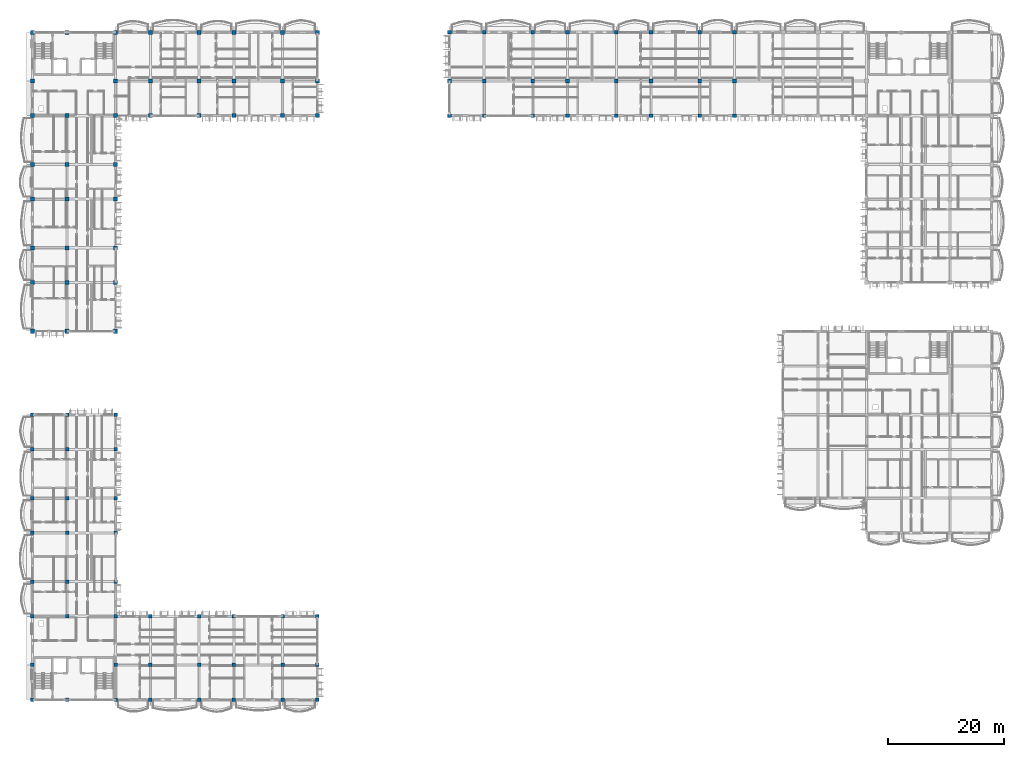
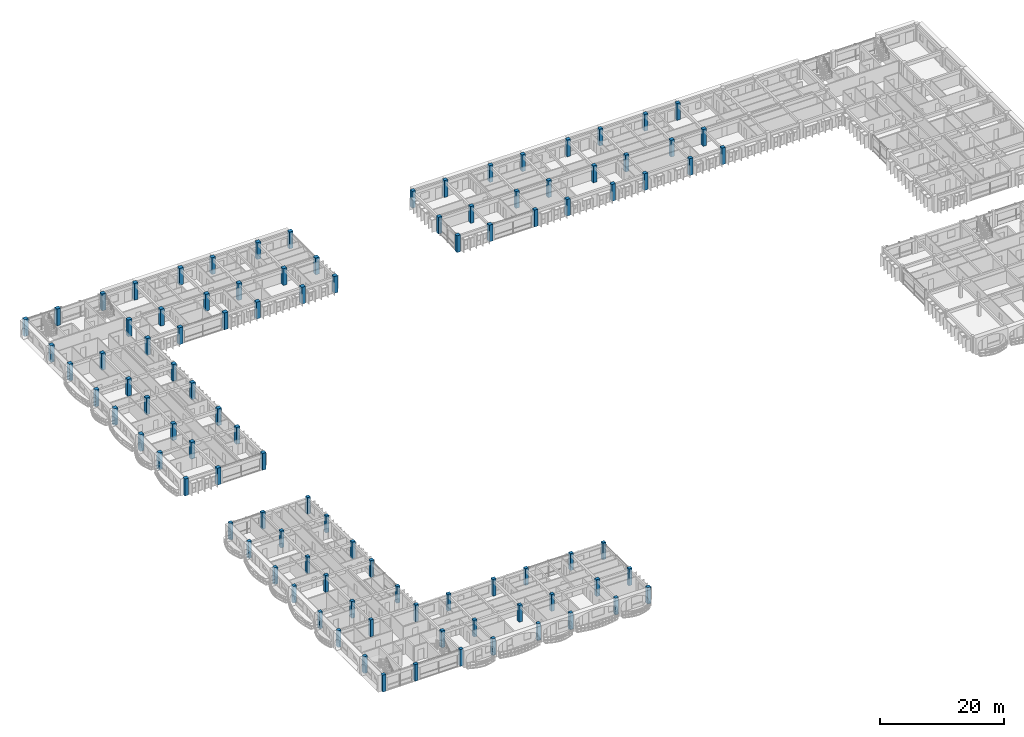
# One storey, part 1 of 76: 100 columns.
"""IFC4 building model written with IfcOpenShell, lengths in metres."""

from ifc_helpers import new_model, si_unit, direction, frame, origin, origin_2d, place, context, subcontext, project, spatial, rectangle, extrude, material, material_profile, profile_set, type_object, element, save


model = new_model("IFC4")

# Units and contexts
model_context = context("Model", 3, precision=1e-05, world=origin(), true_north=direction((0.0, 1.0)))
body_context = subcontext(model_context, "Body", "Model", "MODEL_VIEW")
ifc_project = project(units=[si_unit("LENGTHUNIT", "METRE"), si_unit("AREAUNIT", "SQUARE_METRE"), si_unit("VOLUMEUNIT", "CUBIC_METRE"), si_unit("PLANEANGLEUNIT", "RADIAN"), si_unit("MASSUNIT", "GRAM", prefix="KILO"), si_unit("THERMODYNAMICTEMPERATUREUNIT", "KELVIN")], contexts=[model_context])

# Site, building, storey
site_placement = place(None, origin())
site = spatial("IfcSite", under=ifc_project, at=site_placement, CompositionType="ELEMENT")
building_placement = place(site_placement, origin())
building = spatial("IfcBuilding", under=site, at=building_placement, Name="Thalorik Housing Commons", CompositionType="ELEMENT")
storey_placement = place(building_placement, frame((0.0, 0.0, 18.0)))
storey = spatial("IfcBuildingStorey", under=building, at=storey_placement, Name="L05", CompositionType="ELEMENT", Elevation=18.0)

# Columns
ifc_material = material(Name="Precast concrete C40/50", Category="concrete")
ifc_material_profile_1 = material_profile(ifc_material, rectangle(XDim=0.60009765625, YDim=0.60009765625, at=origin_2d()), Name="PC 600x600", Category="concrete")
ifc_profile_set_1 = profile_set([ifc_material_profile_1], Name="Precast concrete C40/50")
column_type_1 = type_object("IfcColumnType", Name="STR-COL-PC600", PredefinedType="COLUMN", material=ifc_profile_set_1)
for number, where, z_axis, x_axis, name in (
    (1, (8.39990234375, 8.39990234375, 0.0), (0.0, 0.0, 1.0), (1.0, 0.0, 0.0), "L05 Column C-600"),
    (2, (8.39990234375, 14.39990234375, 0.0), (0.0, 0.0, 1.0), (1.0, 0.0, 0.0), "L05 Column C-600"),
    (3, (8.39990234375, 22.800048828125, 0.0), (0.0, 0.0, 1.0), (1.0, 0.0, 0.0), "L05 Column C-600"),
    (4, (8.39990234375, 28.800048828125, 0.0), (0.0, 0.0, 1.0), (1.0, 0.0, 0.0), "L05 Column C-600"),
    (5, (8.39990234375, 37.199951171875, 0.0), (0.0, 0.0, 1.0), (1.0, 0.0, 0.0), "L05 Column C-600"),
    (6, (8.39990234375, 43.199951171875, 0.0), (0.0, 0.0, 1.0), (1.0, 0.0, 0.0), "L05 Column C-600"),
    (7, (8.39990234375, 51.60009765625, 0.0), (0.0, 0.0, 1.0), (1.0, 0.0, 0.0), "L05 Column C-600"),
    (8, (8.39990234375, 57.60009765625, 0.0), (0.0, 0.0, 1.0), (1.0, 0.0, 0.0), "L05 Column C-600"),
    (9, (14.39990234375, 8.39990234375, 0.0), (0.0, 0.0, 1.0), (1.0, 0.0, 0.0), "L05 Column C-600"),
    (10, (14.39990234375, 22.800048828125, 0.0), (0.0, 0.0, 1.0), (1.0, 0.0, 0.0), "L05 Column C-600"),
    (11, (14.39990234375, 28.800048828125, 0.0), (0.0, 0.0, 1.0), (1.0, 0.0, 0.0), "L05 Column C-600"),
    (12, (14.39990234375, 37.199951171875, 0.0), (0.0, 0.0, 1.0), (1.0, 0.0, 0.0), "L05 Column C-600"),
    (13, (14.39990234375, 43.199951171875, 0.0), (0.0, 0.0, 1.0), (1.0, 0.0, 0.0), "L05 Column C-600"),
    (14, (14.39990234375, 51.60009765625, 0.0), (0.0, 0.0, 1.0), (1.0, 0.0, 0.0), "L05 Column C-600"),
    (15, (14.39990234375, 57.60009765625, 0.0), (0.0, 0.0, 1.0), (1.0, 0.0, 0.0), "L05 Column C-600"),
    (16, (22.800048828125, 8.39990234375, 0.0), (0.0, 0.0, 1.0), (1.0, 0.0, 0.0), "L05 Column C-600"),
    (17, (22.800048828125, 14.39990234375, 0.0), (0.0, 0.0, 1.0), (1.0, 0.0, 0.0), "L05 Column C-600"),
    (18, (22.800048828125, 22.800048828125, 0.0), (0.0, 0.0, 1.0), (1.0, 0.0, 0.0), "L05 Column C-600"),
    (19, (22.800048828125, 28.800048828125, 0.0), (0.0, 0.0, 1.0), (1.0, 0.0, 0.0), "L05 Column C-600"),
    (20, (22.800048828125, 37.199951171875, 0.0), (0.0, 0.0, 1.0), (1.0, 0.0, 0.0), "L05 Column C-600"),
    (21, (22.800048828125, 43.199951171875, 0.0), (0.0, 0.0, 1.0), (1.0, 0.0, 0.0), "L05 Column C-600"),
    (22, (22.800048828125, 51.60009765625, 0.0), (0.0, 0.0, 1.0), (1.0, 0.0, 0.0), "L05 Column C-600"),
    (23, (22.800048828125, 57.60009765625, 0.0), (0.0, 0.0, 1.0), (1.0, 0.0, 0.0), "L05 Column C-600"),
    (24, (28.800048828125, 8.39990234375, 0.0), (0.0, 0.0, 1.0), (1.0, 0.0, 0.0), "L05 Column C-600"),
    (25, (28.800048828125, 14.39990234375, 0.0), (0.0, 0.0, 1.0), (1.0, 0.0, 0.0), "L05 Column C-600"),
    (26, (28.800048828125, 22.800048828125, 0.0), (0.0, 0.0, 1.0), (1.0, 0.0, 0.0), "L05 Column C-600"),
    (27, (37.199951171875, 8.39990234375, 0.0), (0.0, 0.0, 1.0), (1.0, 0.0, 0.0), "L05 Column C-600"),
    (28, (37.199951171875, 14.39990234375, 0.0), (0.0, 0.0, 1.0), (1.0, 0.0, 0.0), "L05 Column C-600"),
    (29, (37.199951171875, 22.800048828125, 0.0), (0.0, 0.0, 1.0), (1.0, 0.0, 0.0), "L05 Column C-600"),
    (30, (43.199951171875, 8.39990234375, 0.0), (0.0, 0.0, 1.0), (1.0, 0.0, 0.0), "L05 Column C-600"),
    (31, (43.199951171875, 14.39990234375, 0.0), (0.0, 0.0, 1.0), (1.0, 0.0, 0.0), "L05 Column C-600"),
    (32, (43.199951171875, 22.800048828125, 0.0), (0.0, 0.0, 1.0), (1.0, 0.0, 0.0), "L05 Column C-600"),
    (33, (51.60009765625, 8.39990234375, 0.0), (0.0, 0.0, 1.0), (1.0, 0.0, 0.0), "L05 Column C-600"),
    (34, (51.60009765625, 14.39990234375, 0.0), (0.0, 0.0, 1.0), (1.0, 0.0, 0.0), "L05 Column C-600"),
    (35, (51.60009765625, 22.800048828125, 0.0), (0.0, 0.0, 1.0), (1.0, 0.0, 0.0), "L05 Column C-600"),
    (36, (57.60009765625, 8.39990234375, 0.0), (0.0, 0.0, 1.0), (1.0, 0.0, 0.0), "L05 Column C-600"),
    (37, (57.60009765625, 14.39990234375, 0.0), (0.0, 0.0, 1.0), (1.0, 0.0, 0.0), "L05 Column C-600"),
    (38, (57.60009765625, 22.800048828125, 0.0), (0.0, 0.0, 1.0), (1.0, 0.0, 0.0), "L05 Column C-600"),
):
    element("IfcColumn", number, at=place(storey_placement, frame(where, z_axis=z_axis, x_axis=x_axis)), inside=storey, type_object=column_type_1, Name=name, PredefinedType="COLUMN", context=body_context, shape_type="SweptSolid", body=[
        extrude(rectangle(XDim=0.60009765625, YDim=0.60009765625, at=origin_2d()), origin(), (0.0, 0.0, 1.0), 3.300048828125),
    ])
ifc_material_profile_2 = material_profile(ifc_material, rectangle(XDim=0.64990234375, YDim=0.64990234375, at=origin_2d()), Name="PC 650x650", Category="concrete")
ifc_profile_set_2 = profile_set([ifc_material_profile_2], Name="Precast concrete C40/50")
column_type_2 = type_object("IfcColumnType", Name="STR-COL-PC650", PredefinedType="COLUMN", material=ifc_profile_set_2)
for number, where, z_axis, x_axis, name in (
    (39, (80.39990234375, 109.199951171875, 0.0), (0.0, 0.0, 1.0), (1.0, 0.0, 0.0), "L05 Column C-650"),
    (40, (80.39990234375, 115.199951171875, 0.0), (0.0, 0.0, 1.0), (1.0, 0.0, 0.0), "L05 Column C-650"),
    (41, (80.39990234375, 123.60009765625, 0.0), (0.0, 0.0, 1.0), (1.0, 0.0, 0.0), "L05 Column C-650"),
    (42, (86.39990234375, 109.199951171875, 0.0), (0.0, 0.0, 1.0), (1.0, 0.0, 0.0), "L05 Column C-650"),
    (43, (86.39990234375, 115.199951171875, 0.0), (0.0, 0.0, 1.0), (1.0, 0.0, 0.0), "L05 Column C-650"),
    (44, (86.39990234375, 123.60009765625, 0.0), (0.0, 0.0, 1.0), (1.0, 0.0, 0.0), "L05 Column C-650"),
    (45, (94.800048828125, 109.199951171875, 0.0), (0.0, 0.0, 1.0), (1.0, 0.0, 0.0), "L05 Column C-650"),
    (46, (94.800048828125, 115.199951171875, 0.0), (0.0, 0.0, 1.0), (1.0, 0.0, 0.0), "L05 Column C-650"),
    (47, (94.800048828125, 123.60009765625, 0.0), (0.0, 0.0, 1.0), (1.0, 0.0, 0.0), "L05 Column C-650"),
    (48, (100.800048828125, 109.199951171875, 0.0), (0.0, 0.0, 1.0), (1.0, 0.0, 0.0), "L05 Column C-650"),
    (49, (100.800048828125, 115.199951171875, 0.0), (0.0, 0.0, 1.0), (1.0, 0.0, 0.0), "L05 Column C-650"),
    (50, (100.800048828125, 123.60009765625, 0.0), (0.0, 0.0, 1.0), (1.0, 0.0, 0.0), "L05 Column C-650"),
    (51, (109.199951171875, 109.199951171875, 0.0), (0.0, 0.0, 1.0), (1.0, 0.0, 0.0), "L05 Column C-650"),
    (52, (109.199951171875, 115.199951171875, 0.0), (0.0, 0.0, 1.0), (1.0, 0.0, 0.0), "L05 Column C-650"),
    (53, (109.199951171875, 123.60009765625, 0.0), (0.0, 0.0, 1.0), (1.0, 0.0, 0.0), "L05 Column C-650"),
    (54, (115.199951171875, 109.199951171875, 0.0), (0.0, 0.0, 1.0), (1.0, 0.0, 0.0), "L05 Column C-650"),
    (55, (115.199951171875, 115.199951171875, 0.0), (0.0, 0.0, 1.0), (1.0, 0.0, 0.0), "L05 Column C-650"),
    (56, (115.199951171875, 123.60009765625, 0.0), (0.0, 0.0, 1.0), (1.0, 0.0, 0.0), "L05 Column C-650"),
    (57, (123.60009765625, 109.199951171875, 0.0), (0.0, 0.0, 1.0), (1.0, 0.0, 0.0), "L05 Column C-650"),
    (58, (123.60009765625, 115.199951171875, 0.0), (0.0, 0.0, 1.0), (1.0, 0.0, 0.0), "L05 Column C-650"),
    (59, (123.60009765625, 123.60009765625, 0.0), (0.0, 0.0, 1.0), (1.0, 0.0, 0.0), "L05 Column C-650"),
    (60, (129.60009765625, 109.199951171875, 0.0), (0.0, 0.0, 1.0), (1.0, 0.0, 0.0), "L05 Column C-650"),
    (61, (129.60009765625, 115.199951171875, 0.0), (0.0, 0.0, 1.0), (1.0, 0.0, 0.0), "L05 Column C-650"),
    (62, (129.60009765625, 123.60009765625, 0.0), (0.0, 0.0, 1.0), (1.0, 0.0, 0.0), "L05 Column C-650"),
):
    element("IfcColumn", number, at=place(storey_placement, frame(where, z_axis=z_axis, x_axis=x_axis)), inside=storey, type_object=column_type_2, Name=name, PredefinedType="COLUMN", context=body_context, shape_type="SweptSolid", body=[
        extrude(rectangle(XDim=0.64990234375, YDim=0.64990234375, at=origin_2d()), origin(), (0.0, 0.0, 1.0), 3.300048828125),
    ])
ifc_material_profile_3 = material_profile(ifc_material, rectangle(XDim=0.699951171875, YDim=0.699951171875, at=origin_2d()), Name="PC 700x700", Category="concrete")
ifc_profile_set_3 = profile_set([ifc_material_profile_3], Name="Precast concrete C40/50")
column_type_3 = type_object("IfcColumnType", Name="STR-COL-PC700", PredefinedType="COLUMN", material=ifc_profile_set_3)
for number, where, z_axis, x_axis, name in (
    (63, (8.39990234375, 72.0, 0.0), (0.0, 0.0, 1.0), (1.0, 0.0, 0.0), "L05 Column C-700"),
    (64, (8.39990234375, 80.39990234375, 0.0), (0.0, 0.0, 1.0), (1.0, 0.0, 0.0), "L05 Column C-700"),
    (65, (8.39990234375, 86.39990234375, 0.0), (0.0, 0.0, 1.0), (1.0, 0.0, 0.0), "L05 Column C-700"),
    (66, (8.39990234375, 94.800048828125, 0.0), (0.0, 0.0, 1.0), (1.0, 0.0, 0.0), "L05 Column C-700"),
    (67, (8.39990234375, 100.800048828125, 0.0), (0.0, 0.0, 1.0), (1.0, 0.0, 0.0), "L05 Column C-700"),
    (68, (8.39990234375, 109.199951171875, 0.0), (0.0, 0.0, 1.0), (1.0, 0.0, 0.0), "L05 Column C-700"),
    (69, (8.39990234375, 115.199951171875, 0.0), (0.0, 0.0, 1.0), (1.0, 0.0, 0.0), "L05 Column C-700"),
    (70, (8.39990234375, 123.60009765625, 0.0), (0.0, 0.0, 1.0), (1.0, 0.0, 0.0), "L05 Column C-700"),
    (71, (14.39990234375, 72.0, 0.0), (0.0, 0.0, 1.0), (1.0, 0.0, 0.0), "L05 Column C-700"),
    (72, (14.39990234375, 80.39990234375, 0.0), (0.0, 0.0, 1.0), (1.0, 0.0, 0.0), "L05 Column C-700"),
    (73, (14.39990234375, 86.39990234375, 0.0), (0.0, 0.0, 1.0), (1.0, 0.0, 0.0), "L05 Column C-700"),
    (74, (14.39990234375, 94.800048828125, 0.0), (0.0, 0.0, 1.0), (1.0, 0.0, 0.0), "L05 Column C-700"),
    (75, (14.39990234375, 100.800048828125, 0.0), (0.0, 0.0, 1.0), (1.0, 0.0, 0.0), "L05 Column C-700"),
    (76, (14.39990234375, 109.199951171875, 0.0), (0.0, 0.0, 1.0), (1.0, 0.0, 0.0), "L05 Column C-700"),
    (77, (14.39990234375, 123.60009765625, 0.0), (0.0, 0.0, 1.0), (1.0, 0.0, 0.0), "L05 Column C-700"),
    (78, (22.800048828125, 72.0, 0.0), (0.0, 0.0, 1.0), (1.0, 0.0, 0.0), "L05 Column C-700"),
    (79, (22.800048828125, 80.39990234375, 0.0), (0.0, 0.0, 1.0), (1.0, 0.0, 0.0), "L05 Column C-700"),
    (80, (22.800048828125, 86.39990234375, 0.0), (0.0, 0.0, 1.0), (1.0, 0.0, 0.0), "L05 Column C-700"),
    (81, (22.800048828125, 94.800048828125, 0.0), (0.0, 0.0, 1.0), (1.0, 0.0, 0.0), "L05 Column C-700"),
    (82, (22.800048828125, 100.800048828125, 0.0), (0.0, 0.0, 1.0), (1.0, 0.0, 0.0), "L05 Column C-700"),
    (83, (22.800048828125, 109.199951171875, 0.0), (0.0, 0.0, 1.0), (1.0, 0.0, 0.0), "L05 Column C-700"),
    (84, (22.800048828125, 115.199951171875, 0.0), (0.0, 0.0, 1.0), (1.0, 0.0, 0.0), "L05 Column C-700"),
    (85, (22.800048828125, 123.60009765625, 0.0), (0.0, 0.0, 1.0), (1.0, 0.0, 0.0), "L05 Column C-700"),
    (86, (28.800048828125, 109.199951171875, 0.0), (0.0, 0.0, 1.0), (1.0, 0.0, 0.0), "L05 Column C-700"),
    (87, (28.800048828125, 115.199951171875, 0.0), (0.0, 0.0, 1.0), (1.0, 0.0, 0.0), "L05 Column C-700"),
    (88, (28.800048828125, 123.60009765625, 0.0), (0.0, 0.0, 1.0), (1.0, 0.0, 0.0), "L05 Column C-700"),
    (89, (37.199951171875, 109.199951171875, 0.0), (0.0, 0.0, 1.0), (1.0, 0.0, 0.0), "L05 Column C-700"),
    (90, (37.199951171875, 115.199951171875, 0.0), (0.0, 0.0, 1.0), (1.0, 0.0, 0.0), "L05 Column C-700"),
    (91, (37.199951171875, 123.60009765625, 0.0), (0.0, 0.0, 1.0), (1.0, 0.0, 0.0), "L05 Column C-700"),
    (92, (43.199951171875, 109.199951171875, 0.0), (0.0, 0.0, 1.0), (1.0, 0.0, 0.0), "L05 Column C-700"),
    (93, (43.199951171875, 115.199951171875, 0.0), (0.0, 0.0, 1.0), (1.0, 0.0, 0.0), "L05 Column C-700"),
    (94, (43.199951171875, 123.60009765625, 0.0), (0.0, 0.0, 1.0), (1.0, 0.0, 0.0), "L05 Column C-700"),
    (95, (51.60009765625, 109.199951171875, 0.0), (0.0, 0.0, 1.0), (1.0, 0.0, 0.0), "L05 Column C-700"),
    (96, (51.60009765625, 115.199951171875, 0.0), (0.0, 0.0, 1.0), (1.0, 0.0, 0.0), "L05 Column C-700"),
    (97, (51.60009765625, 123.60009765625, 0.0), (0.0, 0.0, 1.0), (1.0, 0.0, 0.0), "L05 Column C-700"),
    (98, (57.60009765625, 109.199951171875, 0.0), (0.0, 0.0, 1.0), (1.0, 0.0, 0.0), "L05 Column C-700"),
    (99, (57.60009765625, 115.199951171875, 0.0), (0.0, 0.0, 1.0), (1.0, 0.0, 0.0), "L05 Column C-700"),
    (100, (57.60009765625, 123.60009765625, 0.0), (0.0, 0.0, 1.0), (1.0, 0.0, 0.0), "L05 Column C-700"),
):
    element("IfcColumn", number, at=place(storey_placement, frame(where, z_axis=z_axis, x_axis=x_axis)), inside=storey, type_object=column_type_3, Name=name, PredefinedType="COLUMN", context=body_context, shape_type="SweptSolid", body=[
        extrude(rectangle(XDim=0.699951171875, YDim=0.699951171875, at=origin_2d()), origin(), (0.0, 0.0, 1.0), 3.300048828125),
    ])

save(model, "model.ifc")
